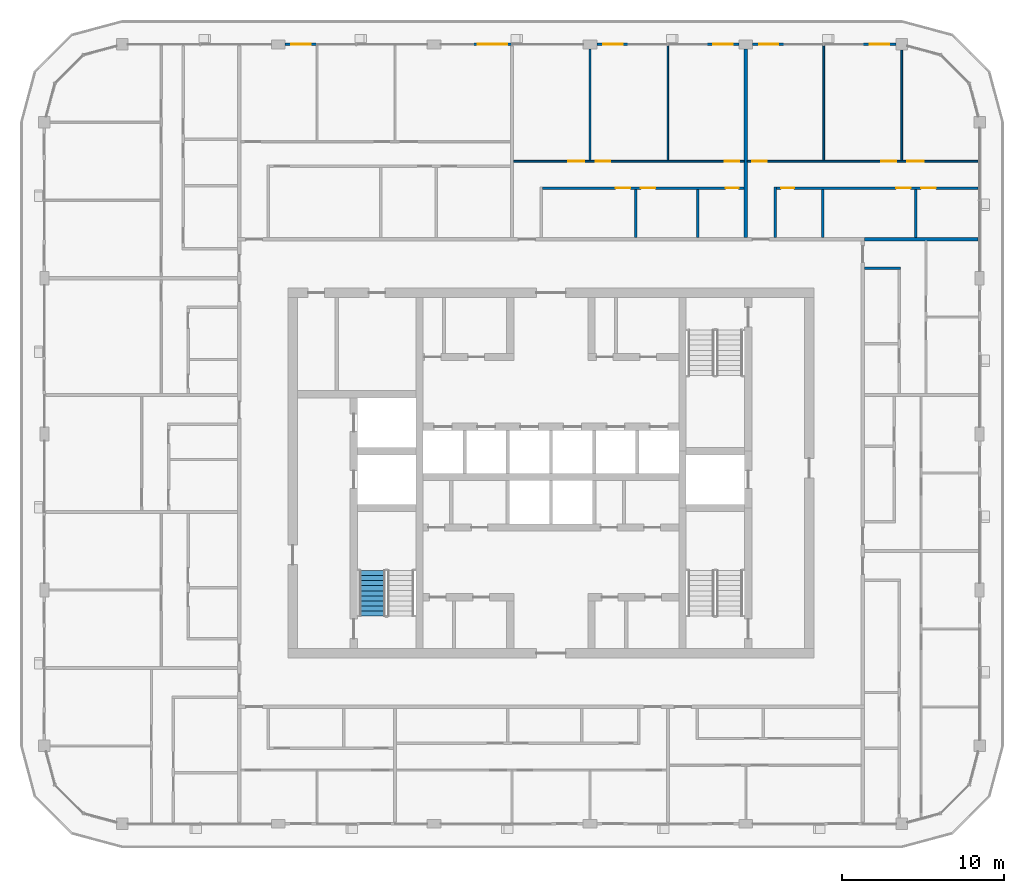
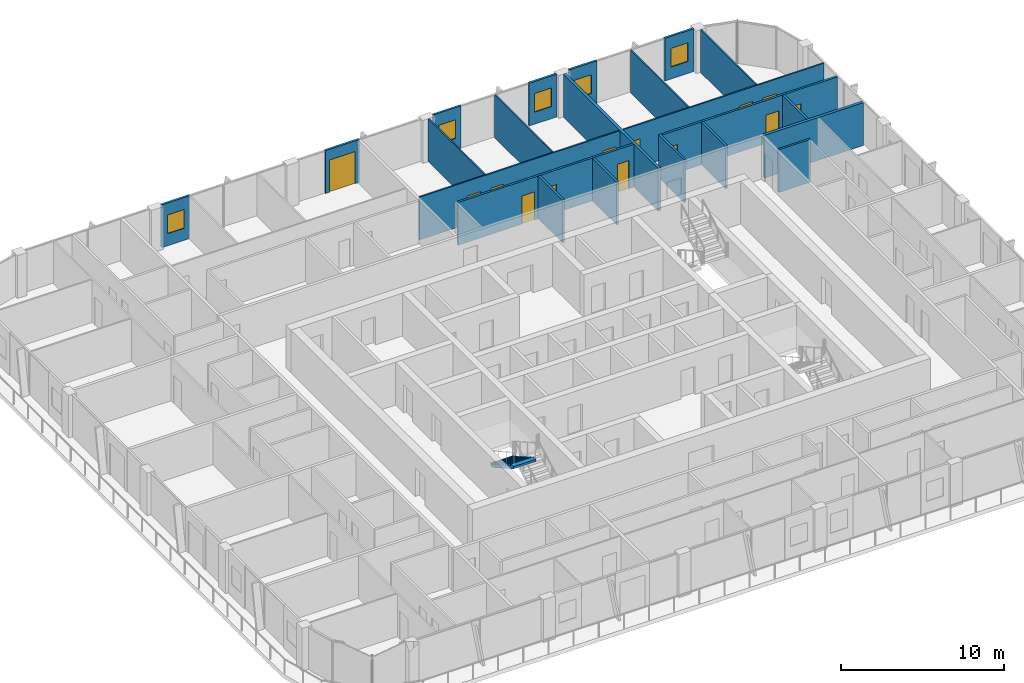
# One storey, part 15 of 22: 22 walls, 13 doors, 5 windows, 1 stair flight, 18 openings, 1 element without a shape of its own.
"""IFC4 building model written with IfcOpenShell, lengths in metres."""

from ifc_helpers import new_model, si_unit, direction, frame, frame_2d, origin, place, context, subcontext, project, spatial, polyline, rectangle, outline, extrude, material, layer, layer_set, type_object, element, fill, aggregate, save


model = new_model("IFC4")

# Units and contexts
model_context = context("Model", 3, precision=1e-05, world=origin(), true_north=direction((0.0, 1.0)))
body_context = subcontext(model_context, "Body", "Model", "MODEL_VIEW")
ifc_project = project(units=[si_unit("LENGTHUNIT", "METRE"), si_unit("AREAUNIT", "SQUARE_METRE"), si_unit("VOLUMEUNIT", "CUBIC_METRE"), si_unit("PLANEANGLEUNIT", "RADIAN"), si_unit("MASSUNIT", "GRAM", prefix="KILO")], contexts=[model_context])

# Site, building, storey
site_placement = place(None, origin())
site = spatial("IfcSite", under=ifc_project, at=site_placement, CompositionType="ELEMENT")
building_placement = place(site_placement, origin())
building = spatial("IfcBuilding", under=site, at=building_placement, Name="Madar Terraces", CompositionType="ELEMENT")
storey_placement = place(building_placement, frame((0.0, 0.0, 256.199951171875)))
storey = spatial("IfcBuildingStorey", under=building, at=storey_placement, Name="L67", CompositionType="ELEMENT", Elevation=256.199951171875)

# Wall, opening, window
ifc_material_1 = material(Name="Aluminium composite panel, black, over insulated backing", Category="aluminium")
ifc_layer_1 = layer(ifc_material_1, 0.14990234375)
ifc_layer_set_1 = layer_set([ifc_layer_1], Name="Facade bay panel 150")
wall_type_1 = type_object("IfcWallType", Name="Facade bay panel 150", PredefinedType="SOLIDWALL", material=ifc_layer_set_1)
wall_1_placement = place(storey_placement, frame((52.449951171875, 52.800048828125, 0.0), z_axis=(0.0, 0.0, 1.0), x_axis=(-1.0, 0.0, 0.0)))
wall_1 = element("IfcWall", 1, at=wall_1_placement, inside=storey, type_object=wall_type_1, Name="Facade bay panel", PredefinedType="SOLIDWALL", context=body_context, shape_type="SweptSolid", body=[
    extrude(rectangle(XDim=2.050048828125, YDim=0.14990234375, at=frame_2d((1.02490234375, 0.0))), origin(), (0.0, 0.0, 1.0), 3.199951171875),
])
opening_1_placement = place(wall_1_placement, frame((0.425048828125, 0.0, 0.89990234375)))
opening_1 = element("IfcOpeningElement", 2, at=opening_1_placement, cuts=wall_1, Name="Opening W1", PredefinedType="OPENING", context=body_context, shape_type="SweptSolid", body=[
    extrude(rectangle(XDim=1.199951171875, YDim=1.39990234375, at=frame_2d((0.60009765625, 0.699951171875))), frame((0.0, 0.0849609375, 0.0), z_axis=(0.0, -1.0, 0.0), x_axis=(1.0, 0.0, 0.0)), (0.0, 0.0, 1.0), 0.169921875),
])
ifc_material_2 = material(Name="Glass, clear, with black aluminium frame", Category="aluminium")
window_type = type_object("IfcWindowType", Name="Vent window 1200 x 1400", PartitioningType="SINGLE_PANEL", PredefinedType="WINDOW", material=ifc_material_2)
window_1_placement = place(opening_1_placement, origin())
window_1 = element("IfcWindow", 3, at=window_1_placement, inside=storey, type_object=window_type, Name="Operable vent window", OverallHeight=1.39990234375, OverallWidth=1.199951171875, PartitioningType="SINGLE_PANEL", PredefinedType="WINDOW", context=body_context, shape_type="SweptSolid", body=[
    extrude(rectangle(XDim=1.199951171875, YDim=1.39990234375, at=frame_2d((0.60009765625, 0.699951171875))), frame((0.0, 0.030029296875, 0.0), z_axis=(0.0, -1.0, 0.0), x_axis=(1.0, 0.0, 0.0)), (0.0, 0.0, 1.0), 0.06005859375),
])
fill(opening_1, window_1)

wall_2_placement = place(storey_placement, frame((45.60009765625, 52.800048828125, 0.0), z_axis=(0.0, 0.0, 1.0), x_axis=(-1.0, 0.0, 0.0)))
wall_2 = element("IfcWall", 4, at=wall_2_placement, inside=storey, type_object=wall_type_1, Name="Facade bay panel", PredefinedType="SOLIDWALL", context=body_context, shape_type="SweptSolid", body=[
    extrude(rectangle(XDim=1.97509765625, YDim=0.14990234375, at=frame_2d((0.987548828125, 0.0))), origin(), (0.0, 0.0, 1.0), 3.199951171875),
])
opening_2_placement = place(wall_2_placement, frame((0.387451171875, 0.0, 0.89990234375)))
opening_2 = element("IfcOpeningElement", 5, at=opening_2_placement, cuts=wall_2, Name="Opening W1", PredefinedType="OPENING", context=body_context, shape_type="SweptSolid", body=[
    extrude(rectangle(XDim=1.199951171875, YDim=1.39990234375, at=frame_2d((0.60009765625, 0.699951171875))), frame((0.0, 0.0849609375, 0.0), z_axis=(0.0, -1.0, 0.0), x_axis=(1.0, 0.0, 0.0)), (0.0, 0.0, 1.0), 0.169921875),
])
window_2_placement = place(opening_2_placement, origin())
window_2 = element("IfcWindow", 6, at=window_2_placement, inside=storey, type_object=window_type, Name="Operable vent window", OverallHeight=1.39990234375, OverallWidth=1.199951171875, PartitioningType="SINGLE_PANEL", PredefinedType="WINDOW", context=body_context, shape_type="SweptSolid", body=[
    extrude(rectangle(XDim=1.199951171875, YDim=1.39990234375, at=frame_2d((0.60009765625, 0.699951171875))), frame((0.0, 0.030029296875, 0.0), z_axis=(0.0, -1.0, 0.0), x_axis=(1.0, 0.0, 0.0)), (0.0, 0.0, 1.0), 0.06005859375),
])
fill(opening_2, window_2)

wall_3_placement = place(storey_placement, frame((42.77490234375, 52.800048828125, 0.0), z_axis=(0.0, 0.0, 1.0), x_axis=(-1.0, 0.0, 0.0)))
wall_3 = element("IfcWall", 7, at=wall_3_placement, inside=storey, type_object=wall_type_1, Name="Facade bay panel", PredefinedType="SOLIDWALL", context=body_context, shape_type="SweptSolid", body=[
    extrude(rectangle(XDim=1.974853515625, YDim=0.14990234375, at=frame_2d((0.9873046875, 0.0))), origin(), (0.0, 0.0, 1.0), 3.199951171875),
])
opening_3_placement = place(wall_3_placement, frame((0.387451171875, 0.0, 0.89990234375)))
opening_3 = element("IfcOpeningElement", 8, at=opening_3_placement, cuts=wall_3, Name="Opening W1", PredefinedType="OPENING", context=body_context, shape_type="SweptSolid", body=[
    extrude(rectangle(XDim=1.199951171875, YDim=1.39990234375, at=frame_2d((0.60009765625, 0.699951171875))), frame((0.0, 0.0849609375, 0.0), z_axis=(0.0, -1.0, 0.0), x_axis=(1.0, 0.0, 0.0)), (0.0, 0.0, 1.0), 0.169921875),
])
window_3_placement = place(opening_3_placement, origin())
window_3 = element("IfcWindow", 9, at=window_3_placement, inside=storey, type_object=window_type, Name="Operable vent window", OverallHeight=1.39990234375, OverallWidth=1.199951171875, PartitioningType="SINGLE_PANEL", PredefinedType="WINDOW", context=body_context, shape_type="SweptSolid", body=[
    extrude(rectangle(XDim=1.199951171875, YDim=1.39990234375, at=frame_2d((0.60009765625, 0.699951171875))), frame((0.0, 0.030029296875, 0.0), z_axis=(0.0, -1.0, 0.0), x_axis=(1.0, 0.0, 0.0)), (0.0, 0.0, 1.0), 0.06005859375),
])
fill(opening_3, window_3)

wall_4_placement = place(storey_placement, frame((36.0, 52.800048828125, 0.0), z_axis=(0.0, 0.0, 1.0), x_axis=(-1.0, 0.0, 0.0)))
wall_4 = element("IfcWall", 10, at=wall_4_placement, inside=storey, type_object=wall_type_1, Name="Facade bay panel", PredefinedType="SOLIDWALL", context=body_context, shape_type="SweptSolid", body=[
    extrude(rectangle(XDim=1.97509765625, YDim=0.14990234375, at=frame_2d((0.987548828125, 0.0))), origin(), (0.0, 0.0, 1.0), 3.199951171875),
])
opening_4_placement = place(wall_4_placement, frame((0.387451171875, 0.0, 0.89990234375)))
opening_4 = element("IfcOpeningElement", 11, at=opening_4_placement, cuts=wall_4, Name="Opening W1", PredefinedType="OPENING", context=body_context, shape_type="SweptSolid", body=[
    extrude(rectangle(XDim=1.199951171875, YDim=1.39990234375, at=frame_2d((0.60009765625, 0.699951171875))), frame((0.0, 0.0849609375, 0.0), z_axis=(0.0, -1.0, 0.0), x_axis=(1.0, 0.0, 0.0)), (0.0, 0.0, 1.0), 0.169921875),
])
window_4_placement = place(opening_4_placement, origin())
window_4 = element("IfcWindow", 12, at=window_4_placement, inside=storey, type_object=window_type, Name="Operable vent window", OverallHeight=1.39990234375, OverallWidth=1.199951171875, PartitioningType="SINGLE_PANEL", PredefinedType="WINDOW", context=body_context, shape_type="SweptSolid", body=[
    extrude(rectangle(XDim=1.199951171875, YDim=1.39990234375, at=frame_2d((0.60009765625, 0.699951171875))), frame((0.0, 0.030029296875, 0.0), z_axis=(0.0, -1.0, 0.0), x_axis=(1.0, 0.0, 0.0)), (0.0, 0.0, 1.0), 0.06005859375),
])
fill(opening_4, window_4)

# Wall, opening, door
wall_5_placement = place(storey_placement, frame((28.800048828125, 52.800048828125, 0.0), z_axis=(0.0, 0.0, 1.0), x_axis=(-1.0, 0.0, 0.0)))
wall_5 = element("IfcWall", 13, at=wall_5_placement, inside=storey, type_object=wall_type_1, Name="Facade bay panel", PredefinedType="SOLIDWALL", context=body_context, shape_type="SweptSolid", body=[
    extrude(rectangle(XDim=2.400146484375, YDim=0.14990234375, at=frame_2d((1.2001953125, 0.0))), origin(), (0.0, 0.0, 1.0), 3.199951171875),
])
opening_5_placement = place(wall_5_placement, frame((0.300048828125, 0.0, 0.0)))
opening_5 = element("IfcOpeningElement", 14, at=opening_5_placement, cuts=wall_5, Name="Opening ED1", PredefinedType="OPENING", context=body_context, shape_type="SweptSolid", body=[
    extrude(rectangle(XDim=1.800048828125, YDim=2.39990234375, at=frame_2d((0.89990234375, 1.199951171875))), frame((0.0, 0.0849609375, 0.0), z_axis=(0.0, -1.0, 0.0), x_axis=(1.0, 0.0, 0.0)), (0.0, 0.0, 1.0), 0.169921875),
])
ifc_material_3 = material(Name="Glass, clear, with black aluminium frame", Category="aluminium")
door_type_1 = type_object("IfcDoorType", Name="Balcony and terrace sliding door 1800 x 2400", OperationType="SLIDING_TO_LEFT", PredefinedType="DOOR", material=ifc_material_3)
door_1_placement = place(opening_5_placement, origin())
door_1 = element("IfcDoor", 15, at=door_1_placement, inside=storey, type_object=door_type_1, Name="Balcony door", OperationType="SLIDING_TO_LEFT", OverallHeight=2.39990234375, OverallWidth=1.800048828125, PredefinedType="DOOR", context=body_context, shape_type="SweptSolid", body=[
    extrude(rectangle(XDim=1.800048828125, YDim=2.39990234375, at=frame_2d((0.89990234375, 1.199951171875))), frame((0.0, 0.02490234375, 0.0), z_axis=(0.0, -1.0, 0.0), x_axis=(1.0, 0.0, 0.0)), (0.0, 0.0, 1.0), 0.050048828125),
])
fill(opening_5, door_1)

# Wall, opening, window
wall_6_placement = place(storey_placement, frame((16.800048828125, 52.800048828125, 0.0), z_axis=(0.0, 0.0, 1.0), x_axis=(-1.0, 0.0, 0.0)))
wall_6 = element("IfcWall", 16, at=wall_6_placement, inside=storey, type_object=wall_type_1, Name="Facade bay panel", PredefinedType="SOLIDWALL", context=body_context, shape_type="SweptSolid", body=[
    extrude(rectangle(XDim=1.97509765625, YDim=0.14990234375, at=frame_2d((0.987548828125, 0.0))), origin(), (0.0, 0.0, 1.0), 3.199951171875),
])
opening_6_placement = place(wall_6_placement, frame((0.387451171875, 0.0, 0.89990234375)))
opening_6 = element("IfcOpeningElement", 17, at=opening_6_placement, cuts=wall_6, Name="Opening W1", PredefinedType="OPENING", context=body_context, shape_type="SweptSolid", body=[
    extrude(rectangle(XDim=1.199951171875, YDim=1.39990234375, at=frame_2d((0.60009765625, 0.699951171875))), frame((0.0, 0.0849609375, 0.0), z_axis=(0.0, -1.0, 0.0), x_axis=(1.0, 0.0, 0.0)), (0.0, 0.0, 1.0), 0.169921875),
])
window_5_placement = place(opening_6_placement, origin())
window_5 = element("IfcWindow", 18, at=window_5_placement, inside=storey, type_object=window_type, Name="Operable vent window", OverallHeight=1.39990234375, OverallWidth=1.199951171875, PartitioningType="SINGLE_PANEL", PredefinedType="WINDOW", context=body_context, shape_type="SweptSolid", body=[
    extrude(rectangle(XDim=1.199951171875, YDim=1.39990234375, at=frame_2d((0.60009765625, 0.699951171875))), frame((0.0, 0.030029296875, 0.0), z_axis=(0.0, -1.0, 0.0), x_axis=(1.0, 0.0, 0.0)), (0.0, 0.0, 1.0), 0.06005859375),
])
fill(opening_6, window_5)

# Walls
ifc_material_4 = material(Name="Gypsum board on steel studs", Category="steel")
ifc_layer_2 = layer(ifc_material_4, 0.10009765625)
ifc_layer_set_2 = layer_set([ifc_layer_2], Name="Flat partition 100")
wall_type_2 = type_object("IfcWallType", Name="Flat partition 100", PredefinedType="PARTITIONING", material=ifc_layer_set_2)
wall_7_placement = place(storey_placement, frame((48.0, 45.64990234375, 0.0), z_axis=(0.0, 0.0, 1.0), x_axis=(0.0, 1.0, 0.0)))
element("IfcWall", 19, at=wall_7_placement, inside=storey, type_object=wall_type_2, Name="Flat partition 100", PredefinedType="PARTITIONING", context=body_context, shape_type="SweptSolid", body=[
    extrude(rectangle(XDim=7.050048828125, YDim=0.10009765625, at=frame_2d((3.52490234375, 0.0))), origin(), (0.0, 0.0, 1.0), 3.199951171875),
])
wall_8_placement = place(storey_placement, frame((52.800048828125, 45.64990234375, 0.0), z_axis=(0.0, 0.0, 1.0), x_axis=(0.0, 1.0, 0.0)))
element("IfcWall", 20, at=wall_8_placement, inside=storey, type_object=wall_type_2, Name="Flat partition 100", PredefinedType="PARTITIONING", context=body_context, shape_type="SweptSolid", body=[
    extrude(rectangle(XDim=6.800048828125, YDim=0.10009765625, at=frame_2d((3.39990234375, 0.0))), origin(), (0.0, 0.0, 1.0), 3.199951171875),
])

# Wall, openings, doors
wall_9_placement = place(storey_placement, frame((43.300048828125, 45.60009765625, 0.0), z_axis=(0.0, 0.0, 1.0), x_axis=(1.0, 0.0, 0.0)))
wall_9 = element("IfcWall", 21, at=wall_9_placement, inside=storey, type_object=wall_type_2, Name="Flat partition 100", PredefinedType="PARTITIONING", context=body_context, shape_type="SweptSolid", body=[
    extrude(rectangle(XDim=14.199951171875, YDim=0.10009765625, at=frame_2d((7.10009765625, 0.0))), origin(), (0.0, 0.0, 1.0), 3.199951171875),
])
opening_7_placement = place(wall_9_placement, frame((0.300048828125, 0.0, 0.0)))
opening_7 = element("IfcOpeningElement", 22, at=opening_7_placement, cuts=wall_9, Name="Opening D2", PredefinedType="OPENING", context=body_context, shape_type="SweptSolid", body=[
    extrude(rectangle(XDim=0.89990234375, YDim=2.10009765625, at=frame_2d((0.449951171875, 1.050048828125))), frame((0.0, 0.06005859375, 0.0), z_axis=(0.0, -1.0, 0.0), x_axis=(1.0, 0.0, 0.0)), (0.0, 0.0, 1.0), 0.1201171875),
])
opening_8_placement = place(wall_9_placement, frame((8.25, 0.0, 0.0)))
opening_8 = element("IfcOpeningElement", 23, at=opening_8_placement, cuts=wall_9, Name="Opening D2", PredefinedType="OPENING", context=body_context, shape_type="SweptSolid", body=[
    extrude(rectangle(XDim=0.89990234375, YDim=2.10009765625, at=frame_2d((0.449951171875, 1.050048828125))), frame((0.0, 0.06005859375, 0.0), z_axis=(0.0, -1.0, 0.0), x_axis=(1.0, 0.0, 0.0)), (0.0, 0.0, 1.0), 0.1201171875),
])
opening_9_placement = place(wall_9_placement, frame((9.85009765625, 0.0, 0.0)))
opening_9 = element("IfcOpeningElement", 24, at=opening_9_placement, cuts=wall_9, Name="Opening D3", PredefinedType="OPENING", context=body_context, shape_type="SweptSolid", body=[
    extrude(rectangle(XDim=1.0, YDim=2.10009765625, at=frame_2d((0.5, 1.050048828125))), frame((0.0, 0.06005859375, 0.0), z_axis=(0.0, -1.0, 0.0), x_axis=(1.0, 0.0, 0.0)), (0.0, 0.0, 1.0), 0.1201171875),
])
ifc_material_5 = material(Name="Timber door leaf", Category="wood")
door_type_2 = type_object("IfcDoorType", Name="Flat living room door 1000", OperationType="NOTDEFINED", PredefinedType="DOOR", material=ifc_material_5)
door_2_placement = place(opening_9_placement, origin())
door_2 = element("IfcDoor", 25, at=door_2_placement, inside=storey, type_object=door_type_2, Name="Flat living room door 1000", OperationType="SINGLE_SWING_LEFT", OverallHeight=2.10009765625, OverallWidth=1.0, PredefinedType="DOOR", context=body_context, shape_type="SweptSolid", body=[
    extrude(rectangle(XDim=1.0, YDim=2.10009765625, at=frame_2d((0.5, 1.050048828125))), frame((0.0, 0.02490234375, 0.0), z_axis=(0.0, -1.0, 0.0), x_axis=(1.0, 0.0, 0.0)), (0.0, 0.0, 1.0), 0.050048828125),
])
fill(opening_9, door_2)
ifc_material_6 = material(Name="Timber door leaf", Category="wood")
door_type_3 = type_object("IfcDoorType", Name="Flat room door 900", OperationType="NOTDEFINED", PredefinedType="DOOR", material=ifc_material_6)
door_3_placement = place(opening_7_placement, origin())
door_3 = element("IfcDoor", 26, at=door_3_placement, inside=storey, type_object=door_type_3, Name="Flat room door 900", OperationType="SINGLE_SWING_LEFT", OverallHeight=2.10009765625, OverallWidth=0.89990234375, PredefinedType="DOOR", context=body_context, shape_type="SweptSolid", body=[
    extrude(rectangle(XDim=0.89990234375, YDim=2.10009765625, at=frame_2d((0.449951171875, 1.050048828125))), frame((0.0, 0.02490234375, 0.0), z_axis=(0.0, -1.0, 0.0), x_axis=(1.0, 0.0, 0.0)), (0.0, 0.0, 1.0), 0.050048828125),
])
fill(opening_7, door_3)
door_4_placement = place(opening_8_placement, origin())
door_4 = element("IfcDoor", 27, at=door_4_placement, inside=storey, type_object=door_type_3, Name="Flat room door 900", OperationType="SINGLE_SWING_RIGHT", OverallHeight=2.10009765625, OverallWidth=0.89990234375, PredefinedType="DOOR", context=body_context, shape_type="SweptSolid", body=[
    extrude(rectangle(XDim=0.89990234375, YDim=2.10009765625, at=frame_2d((0.449951171875, 1.050048828125))), frame((0.0, 0.02490234375, 0.0), z_axis=(0.0, -1.0, 0.0), x_axis=(1.0, 0.0, 0.0)), (0.0, 0.0, 1.0), 0.050048828125),
])
fill(opening_8, door_4)

# Walls
wall_10_placement = place(storey_placement, frame((33.60009765625, 45.64990234375, 0.0), z_axis=(0.0, 0.0, 1.0), x_axis=(0.0, 1.0, 0.0)))
element("IfcWall", 28, at=wall_10_placement, inside=storey, type_object=wall_type_2, Name="Flat partition 100", PredefinedType="PARTITIONING", context=body_context, shape_type="SweptSolid", body=[
    extrude(rectangle(XDim=6.875, YDim=0.10009765625, at=frame_2d((3.4375, 0.0))), origin(), (0.0, 0.0, 1.0), 3.199951171875),
])
wall_11_placement = place(storey_placement, frame((38.39990234375, 45.64990234375, 0.0), z_axis=(0.0, 0.0, 1.0), x_axis=(0.0, 1.0, 0.0)))
element("IfcWall", 29, at=wall_11_placement, inside=storey, type_object=wall_type_2, Name="Flat partition 100", PredefinedType="PARTITIONING", context=body_context, shape_type="SweptSolid", body=[
    extrude(rectangle(XDim=7.050048828125, YDim=0.10009765625, at=frame_2d((3.52490234375, 0.0))), origin(), (0.0, 0.0, 1.0), 3.199951171875),
])

# Wall, openings, doors
wall_12_placement = place(storey_placement, frame((28.89990234375, 45.60009765625, 0.0), z_axis=(0.0, 0.0, 1.0), x_axis=(1.0, 0.0, 0.0)))
wall_12 = element("IfcWall", 30, at=wall_12_placement, inside=storey, type_object=wall_type_2, Name="Flat partition 100", PredefinedType="PARTITIONING", context=body_context, shape_type="SweptSolid", body=[
    extrude(rectangle(XDim=14.2001953125, YDim=0.10009765625, at=frame_2d((7.10009765625, 0.0))), origin(), (0.0, 0.0, 1.0), 3.199951171875),
])
opening_10_placement = place(wall_12_placement, frame((3.35009765625, 0.0, 0.0)))
opening_10 = element("IfcOpeningElement", 31, at=opening_10_placement, cuts=wall_12, Name="Opening D3", PredefinedType="OPENING", context=body_context, shape_type="SweptSolid", body=[
    extrude(rectangle(XDim=1.0, YDim=2.10009765625, at=frame_2d((0.5, 1.050048828125))), frame((0.0, 0.06005859375, 0.0), z_axis=(0.0, -1.0, 0.0), x_axis=(1.0, 0.0, 0.0)), (0.0, 0.0, 1.0), 0.1201171875),
])
opening_11_placement = place(wall_12_placement, frame((5.050048828125, 0.0, 0.0)))
opening_11 = element("IfcOpeningElement", 32, at=opening_11_placement, cuts=wall_12, Name="Opening D2", PredefinedType="OPENING", context=body_context, shape_type="SweptSolid", body=[
    extrude(rectangle(XDim=0.89990234375, YDim=2.10009765625, at=frame_2d((0.449951171875, 1.050048828125))), frame((0.0, 0.06005859375, 0.0), z_axis=(0.0, -1.0, 0.0), x_axis=(1.0, 0.0, 0.0)), (0.0, 0.0, 1.0), 0.1201171875),
])
opening_12_placement = place(wall_12_placement, frame((13.0, 0.0, 0.0)))
opening_12 = element("IfcOpeningElement", 33, at=opening_12_placement, cuts=wall_12, Name="Opening D2", PredefinedType="OPENING", context=body_context, shape_type="SweptSolid", body=[
    extrude(rectangle(XDim=0.89990234375, YDim=2.10009765625, at=frame_2d((0.449951171875, 1.050048828125))), frame((0.0, 0.06005859375, 0.0), z_axis=(0.0, -1.0, 0.0), x_axis=(1.0, 0.0, 0.0)), (0.0, 0.0, 1.0), 0.1201171875),
])
door_5_placement = place(opening_10_placement, origin())
door_5 = element("IfcDoor", 34, at=door_5_placement, inside=storey, type_object=door_type_2, Name="Flat living room door 1000", OperationType="SINGLE_SWING_RIGHT", OverallHeight=2.10009765625, OverallWidth=1.0, PredefinedType="DOOR", context=body_context, shape_type="SweptSolid", body=[
    extrude(rectangle(XDim=1.0, YDim=2.10009765625, at=frame_2d((0.5, 1.050048828125))), frame((0.0, 0.02490234375, 0.0), z_axis=(0.0, -1.0, 0.0), x_axis=(1.0, 0.0, 0.0)), (0.0, 0.0, 1.0), 0.050048828125),
])
fill(opening_10, door_5)
door_6_placement = place(opening_11_placement, origin())
door_6 = element("IfcDoor", 35, at=door_6_placement, inside=storey, type_object=door_type_3, Name="Flat room door 900", OperationType="SINGLE_SWING_LEFT", OverallHeight=2.10009765625, OverallWidth=0.89990234375, PredefinedType="DOOR", context=body_context, shape_type="SweptSolid", body=[
    extrude(rectangle(XDim=0.89990234375, YDim=2.10009765625, at=frame_2d((0.449951171875, 1.050048828125))), frame((0.0, 0.02490234375, 0.0), z_axis=(0.0, -1.0, 0.0), x_axis=(1.0, 0.0, 0.0)), (0.0, 0.0, 1.0), 0.050048828125),
])
fill(opening_11, door_6)
door_7_placement = place(opening_12_placement, origin())
door_7 = element("IfcDoor", 36, at=door_7_placement, inside=storey, type_object=door_type_3, Name="Flat room door 900", OperationType="SINGLE_SWING_RIGHT", OverallHeight=2.10009765625, OverallWidth=0.89990234375, PredefinedType="DOOR", context=body_context, shape_type="SweptSolid", body=[
    extrude(rectangle(XDim=0.89990234375, YDim=2.10009765625, at=frame_2d((0.449951171875, 1.050048828125))), frame((0.0, 0.02490234375, 0.0), z_axis=(0.0, -1.0, 0.0), x_axis=(1.0, 0.0, 0.0)), (0.0, 0.0, 1.0), 0.050048828125),
])
fill(opening_12, door_7)

# Walls
ifc_material_7 = material(Name="Lightweight blockwork", Category="masonry")
ifc_layer_3 = layer(ifc_material_7, 0.199951171875)
ifc_layer_set_3 = layer_set([ifc_layer_3], Name="Flat party and entrance wall 200")
wall_type_3 = type_object("IfcWallType", Name="Flat party and entrance wall 200", PredefinedType="PARTITIONING", material=ifc_layer_set_3)
wall_13_placement = place(storey_placement, frame((50.5, 40.800048828125, 0.0), z_axis=(0.0, 0.0, 1.0), x_axis=(1.0, 0.0, 0.0)))
element("IfcWall", 37, at=wall_13_placement, inside=storey, type_object=wall_type_3, Name="Flat party and entrance wall 200", PredefinedType="PARTITIONING", context=body_context, shape_type="SweptSolid", body=[
    extrude(rectangle(XDim=7.0, YDim=0.199951171875, at=frame_2d((3.5, 0.0))), origin(), (0.0, 0.0, 1.0), 3.199951171875),
])
wall_14_placement = place(storey_placement, frame((43.199951171875, 52.52490234375, 0.0), z_axis=(0.0, 0.0, 1.0), x_axis=(0.0, -1.0, 0.0)))
element("IfcWall", 38, at=wall_14_placement, inside=storey, type_object=wall_type_3, Name="Flat party and entrance wall 200", PredefinedType="PARTITIONING", context=body_context, shape_type="SweptSolid", body=[
    extrude(rectangle(XDim=11.625, YDim=0.199951171875, at=frame_2d((5.8125, 0.0))), origin(), (0.0, 0.0, 1.0), 3.199951171875),
])
ifc_material_8 = material(Name="Lightweight blockwork", Category="masonry")
ifc_layer_4 = layer(ifc_material_8, 0.14990234375)
ifc_layer_set_4 = layer_set([ifc_layer_4], Name="Flat wet-room partition 150")
wall_type_4 = type_object("IfcWallType", Name="Flat wet-room partition 150", PredefinedType="PARTITIONING", material=ifc_layer_set_4)
wall_15_placement = place(storey_placement, frame((50.5, 39.0, 0.0), z_axis=(0.0, 0.0, 1.0), x_axis=(1.0, 0.0, 0.0)))
element("IfcWall", 39, at=wall_15_placement, inside=storey, type_object=wall_type_4, Name="Flat wet-room partition 150", PredefinedType="PARTITIONING", context=body_context, shape_type="SweptSolid", body=[
    extrude(rectangle(XDim=2.22509765625, YDim=0.14990234375, at=frame_2d((1.112548828125, 0.0))), origin(), (0.0, 0.0, 1.0), 3.199951171875),
])
for number, where, z_axis, x_axis, name in (
    (40, (47.9423828125, 40.89990234375, 0.0), (0.0, 0.0, 1.0), (0.0, 1.0, 0.0), "Flat wet-room partition 150"),
    (41, (53.677001953125, 40.89990234375, 0.0), (0.0, 0.0, 1.0), (0.0, 1.0, 0.0), "Flat wet-room partition 150"),
):
    element("IfcWall", number, at=place(storey_placement, frame(where, z_axis=z_axis, x_axis=x_axis)), inside=storey, type_object=wall_type_4, Name=name, PredefinedType="PARTITIONING", context=body_context, shape_type="SweptSolid", body=[
        extrude(rectangle(XDim=2.97509765625, YDim=0.14990234375, at=frame_2d((1.487548828125, 0.0))), origin(), (0.0, 0.0, 1.0), 3.199951171875),
    ])
wall_16_placement = place(storey_placement, frame((45.0, 40.89990234375, 0.0), z_axis=(0.0, 0.0, 1.0), x_axis=(0.0, 1.0, 0.0)))
element("IfcWall", 42, at=wall_16_placement, inside=storey, type_object=wall_type_4, Name="Flat wet-room partition 150", PredefinedType="PARTITIONING", context=body_context, shape_type="SweptSolid", body=[
    extrude(rectangle(XDim=3.125, YDim=0.14990234375, at=frame_2d((1.5625, 0.0))), origin(), (0.0, 0.0, 1.0), 3.199951171875),
])

# Wall, openings, doors
wall_17_placement = place(storey_placement, frame((57.5, 43.949951171875, 0.0), z_axis=(0.0, 0.0, 1.0), x_axis=(-1.0, 0.0, 0.0)))
wall_17 = element("IfcWall", 43, at=wall_17_placement, inside=storey, type_object=wall_type_4, Name="Flat wet-room partition 150", PredefinedType="PARTITIONING", context=body_context, shape_type="SweptSolid", body=[
    extrude(rectangle(XDim=12.425048828125, YDim=0.14990234375, at=frame_2d((6.21240234375, 0.0))), origin(), (0.0, 0.0, 1.0), 3.199951171875),
])
opening_13_placement = place(wall_17_placement, frame((11.324951171875, 0.0, 0.0)))
opening_13 = element("IfcOpeningElement", 44, at=opening_13_placement, cuts=wall_17, Name="Opening D4", PredefinedType="OPENING", context=body_context, shape_type="SweptSolid", body=[
    extrude(rectangle(XDim=0.800048828125, YDim=2.10009765625, at=frame_2d((0.39990234375, 1.050048828125))), frame((0.0, 0.0849609375, 0.0), z_axis=(0.0, -1.0, 0.0), x_axis=(1.0, 0.0, 0.0)), (0.0, 0.0, 1.0), 0.169921875),
])
opening_14_placement = place(wall_17_placement, frame((4.148193359375, 0.0, 0.0)))
opening_14 = element("IfcOpeningElement", 45, at=opening_14_placement, cuts=wall_17, Name="Opening D2", PredefinedType="OPENING", context=body_context, shape_type="SweptSolid", body=[
    extrude(rectangle(XDim=0.89990234375, YDim=2.10009765625, at=frame_2d((0.449951171875, 1.050048828125))), frame((0.0, 0.0849609375, 0.0), z_axis=(0.0, -1.0, 0.0), x_axis=(1.0, 0.0, 0.0)), (0.0, 0.0, 1.0), 0.169921875),
])
opening_15_placement = place(wall_17_placement, frame((2.59814453125, 0.0, 0.0)))
opening_15 = element("IfcOpeningElement", 46, at=opening_15_placement, cuts=wall_17, Name="Opening D5", PredefinedType="OPENING", context=body_context, shape_type="SweptSolid", body=[
    extrude(rectangle(XDim=0.89990234375, YDim=2.10009765625, at=frame_2d((0.449951171875, 1.050048828125))), frame((0.0, 0.0849609375, 0.0), z_axis=(0.0, -1.0, 0.0), x_axis=(1.0, 0.0, 0.0)), (0.0, 0.0, 1.0), 0.169921875),
])
ifc_material_9 = material(Name="Timber door leaf", Category="wood")
door_type_4 = type_object("IfcDoorType", Name="Flat accessible bathroom door 900", OperationType="NOTDEFINED", PredefinedType="DOOR", material=ifc_material_9)
door_8_placement = place(opening_15_placement, origin())
door_8 = element("IfcDoor", 47, at=door_8_placement, inside=storey, type_object=door_type_4, Name="Flat accessible bathroom door 900", OperationType="SINGLE_SWING_RIGHT", OverallHeight=2.10009765625, OverallWidth=0.89990234375, PredefinedType="DOOR", context=body_context, shape_type="SweptSolid", body=[
    extrude(rectangle(XDim=0.89990234375, YDim=2.10009765625, at=frame_2d((0.449951171875, 1.050048828125))), frame((0.0, 0.02490234375, 0.0), z_axis=(0.0, -1.0, 0.0), x_axis=(1.0, 0.0, 0.0)), (0.0, 0.0, 1.0), 0.050048828125),
])
fill(opening_15, door_8)
ifc_material_10 = material(Name="Timber door leaf", Category="wood")
door_type_5 = type_object("IfcDoorType", Name="Flat bathroom door 800", OperationType="NOTDEFINED", PredefinedType="DOOR", material=ifc_material_10)
door_9_placement = place(opening_13_placement, origin())
door_9 = element("IfcDoor", 48, at=door_9_placement, inside=storey, type_object=door_type_5, Name="Flat bathroom door 800", OperationType="SINGLE_SWING_RIGHT", OverallHeight=2.10009765625, OverallWidth=0.800048828125, PredefinedType="DOOR", context=body_context, shape_type="SweptSolid", body=[
    extrude(rectangle(XDim=0.800048828125, YDim=2.10009765625, at=frame_2d((0.39990234375, 1.050048828125))), frame((0.0, 0.02490234375, 0.0), z_axis=(0.0, -1.0, 0.0), x_axis=(1.0, 0.0, 0.0)), (0.0, 0.0, 1.0), 0.050048828125),
])
fill(opening_13, door_9)
door_10_placement = place(opening_14_placement, origin())
door_10 = element("IfcDoor", 49, at=door_10_placement, inside=storey, type_object=door_type_3, Name="Flat room door 900", OperationType="SINGLE_SWING_LEFT", OverallHeight=2.10009765625, OverallWidth=0.89990234375, PredefinedType="DOOR", context=body_context, shape_type="SweptSolid", body=[
    extrude(rectangle(XDim=0.89990234375, YDim=2.10009765625, at=frame_2d((0.449951171875, 1.050048828125))), frame((0.0, 0.02490234375, 0.0), z_axis=(0.0, -1.0, 0.0), x_axis=(1.0, 0.0, 0.0)), (0.0, 0.0, 1.0), 0.050048828125),
])
fill(opening_14, door_10)

# Walls
for number, where, z_axis, x_axis, name in (
    (50, (36.40966796875, 40.89990234375, 0.0), (0.0, 0.0, 1.0), (0.0, 1.0, 0.0), "Flat wet-room partition 150"),
    (51, (40.232666015625, 40.89990234375, 0.0), (0.0, 0.0, 1.0), (0.0, 1.0, 0.0), "Flat wet-room partition 150"),
):
    element("IfcWall", number, at=place(storey_placement, frame(where, z_axis=z_axis, x_axis=x_axis)), inside=storey, type_object=wall_type_4, Name=name, PredefinedType="PARTITIONING", context=body_context, shape_type="SweptSolid", body=[
        extrude(rectangle(XDim=2.97509765625, YDim=0.14990234375, at=frame_2d((1.487548828125, 0.0))), origin(), (0.0, 0.0, 1.0), 3.199951171875),
    ])

# Wall, openings, doors
wall_18_placement = place(storey_placement, frame((43.10009765625, 43.949951171875, 0.0), z_axis=(0.0, 0.0, 1.0), x_axis=(-1.0, 0.0, 0.0)))
wall_18 = element("IfcWall", 52, at=wall_18_placement, inside=storey, type_object=wall_type_4, Name="Flat wet-room partition 150", PredefinedType="PARTITIONING", context=body_context, shape_type="SweptSolid", body=[
    extrude(rectangle(XDim=12.425048828125, YDim=0.14990234375, at=frame_2d((6.21240234375, 0.0))), origin(), (0.0, 0.0, 1.0), 3.199951171875),
])
opening_16_placement = place(wall_18_placement, frame((7.015380859375, 0.0, 0.0)))
opening_16 = element("IfcOpeningElement", 53, at=opening_16_placement, cuts=wall_18, Name="Opening D2", PredefinedType="OPENING", context=body_context, shape_type="SweptSolid", body=[
    extrude(rectangle(XDim=0.89990234375, YDim=2.10009765625, at=frame_2d((0.449951171875, 1.050048828125))), frame((0.0, 0.0849609375, 0.0), z_axis=(0.0, -1.0, 0.0), x_axis=(1.0, 0.0, 0.0)), (0.0, 0.0, 1.0), 0.169921875),
])
opening_17_placement = place(wall_18_placement, frame((5.46533203125, 0.0, 0.0)))
opening_17 = element("IfcOpeningElement", 54, at=opening_17_placement, cuts=wall_18, Name="Opening D5", PredefinedType="OPENING", context=body_context, shape_type="SweptSolid", body=[
    extrude(rectangle(XDim=0.89990234375, YDim=2.10009765625, at=frame_2d((0.449951171875, 1.050048828125))), frame((0.0, 0.0849609375, 0.0), z_axis=(0.0, -1.0, 0.0), x_axis=(1.0, 0.0, 0.0)), (0.0, 0.0, 1.0), 0.169921875),
])
opening_18_placement = place(wall_18_placement, frame((0.35009765625, 0.0, 0.0)))
opening_18 = element("IfcOpeningElement", 55, at=opening_18_placement, cuts=wall_18, Name="Opening D4", PredefinedType="OPENING", context=body_context, shape_type="SweptSolid", body=[
    extrude(rectangle(XDim=0.800048828125, YDim=2.10009765625, at=frame_2d((0.39990234375, 1.050048828125))), frame((0.0, 0.0849609375, 0.0), z_axis=(0.0, -1.0, 0.0), x_axis=(1.0, 0.0, 0.0)), (0.0, 0.0, 1.0), 0.169921875),
])
door_11_placement = place(opening_17_placement, origin())
door_11 = element("IfcDoor", 56, at=door_11_placement, inside=storey, type_object=door_type_4, Name="Flat accessible bathroom door 900", OperationType="SINGLE_SWING_RIGHT", OverallHeight=2.10009765625, OverallWidth=0.89990234375, PredefinedType="DOOR", context=body_context, shape_type="SweptSolid", body=[
    extrude(rectangle(XDim=0.89990234375, YDim=2.10009765625, at=frame_2d((0.449951171875, 1.050048828125))), frame((0.0, 0.02490234375, 0.0), z_axis=(0.0, -1.0, 0.0), x_axis=(1.0, 0.0, 0.0)), (0.0, 0.0, 1.0), 0.050048828125),
])
fill(opening_17, door_11)
door_12_placement = place(opening_18_placement, origin())
door_12 = element("IfcDoor", 57, at=door_12_placement, inside=storey, type_object=door_type_5, Name="Flat bathroom door 800", OperationType="SINGLE_SWING_LEFT", OverallHeight=2.10009765625, OverallWidth=0.800048828125, PredefinedType="DOOR", context=body_context, shape_type="SweptSolid", body=[
    extrude(rectangle(XDim=0.800048828125, YDim=2.10009765625, at=frame_2d((0.39990234375, 1.050048828125))), frame((0.0, 0.02490234375, 0.0), z_axis=(0.0, -1.0, 0.0), x_axis=(1.0, 0.0, 0.0)), (0.0, 0.0, 1.0), 0.050048828125),
])
fill(opening_18, door_12)
door_13_placement = place(opening_16_placement, origin())
door_13 = element("IfcDoor", 58, at=door_13_placement, inside=storey, type_object=door_type_3, Name="Flat room door 900", OperationType="SINGLE_SWING_LEFT", OverallHeight=2.10009765625, OverallWidth=0.89990234375, PredefinedType="DOOR", context=body_context, shape_type="SweptSolid", body=[
    extrude(rectangle(XDim=0.89990234375, YDim=2.10009765625, at=frame_2d((0.449951171875, 1.050048828125))), frame((0.0, 0.02490234375, 0.0), z_axis=(0.0, -1.0, 0.0), x_axis=(1.0, 0.0, 0.0)), (0.0, 0.0, 1.0), 0.050048828125),
])
fill(opening_16, door_13)

# Stair, stair flight
ifc_material_11 = material(Name="Concrete C50/60", Category="concrete")
stair_type = type_object("IfcStairType", Name="Stair ST1 protected exit", PredefinedType="HALF_TURN_STAIR", material=ifc_material_11)
stair_placement = place(storey_placement, origin())
stair = element("IfcStair", 59, at=stair_placement, inside=storey, type_object=stair_type, Name="L67 Protected Exit Stair ST1", PredefinedType="HALF_TURN_STAIR")
ifc_material_12 = material(Name="Concrete C50/60", Category="concrete")
stair_flight_type = type_object("IfcStairFlightType", Name="Stair flight ST1-F4, 1600 wide, 10 risers", PredefinedType="STRAIGHT", material=ifc_material_12)
stair_flight_placement = place(storey_placement, frame((20.199951171875, 20.389892578125, 1.75), z_axis=(0.0, 0.0, 1.0), x_axis=(0.0, -1.0, 0.0)))
stair_flight = element("IfcStairFlight", 60, at=stair_flight_placement, type_object=stair_flight_type, Name="ST1 flight 2", NumberOfRisers=10, NumberOfTreads=9, PredefinedType="STRAIGHT", RiserHeight=0.175, TreadLength=0.31, context=body_context, shape_type="SweptSolid", body=[
    extrude(outline(polyline([(0.0, 0.0), (0.0, 0.175048828125), (0.31005859375, 0.175048828125), (0.31005859375, 0.35009765625), (0.6201171875, 0.35009765625), (0.6201171875, 0.52490234375), (0.929931640625, 0.52490234375), (0.929931640625, 0.699951171875), (1.239990234375, 0.699951171875), (1.239990234375, 0.875), (1.550048828125, 0.875), (1.550048828125, 1.050048828125), (1.860107421875, 1.050048828125), (1.860107421875, 1.22509765625), (2.169921875, 1.22509765625), (2.169921875, 1.39990234375), (2.47998046875, 1.39990234375), (2.47998046875, 1.574951171875), (2.7900390625, 1.574951171875), (2.7900390625, 1.75), (2.7900390625, 1.40283203125), (0.304931640625, 0.0), (0.0, 0.0)])), frame((0.0, 0.800048828125, 0.0), z_axis=(0.0, -1.0, 0.0), x_axis=(1.0, 0.0, 0.0)), (0.0, 0.0, 1.0), 1.60009765625),
])
aggregate(stair, [stair_flight])

save(model, "model.ifc")
